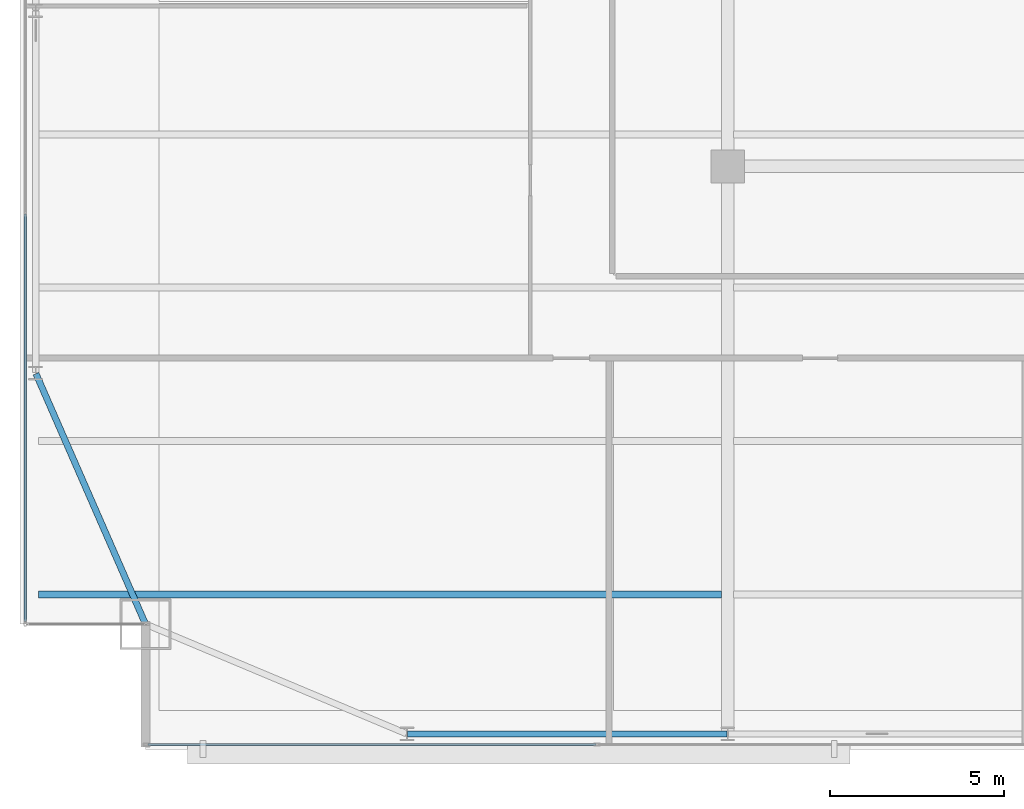
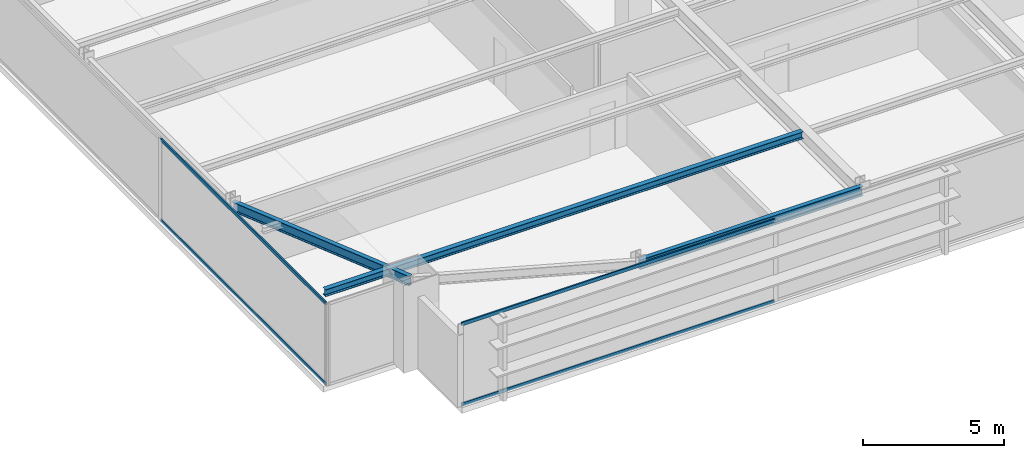
# One storey, part 5 of 33: 4 members, 3 beams, 2 elements without a shape of their own.
"""IFC4 building model written with IfcOpenShell, lengths in metres."""

from ifc_helpers import new_model, si_unit, direction, frame, origin, origin_2d, place, context, subcontext, project, spatial, hollow_rectangle, i_section, extrude, source, transform, mapped, material, layer, layer_set, material_profile, profile_set, type_object, type_shapes, element, aggregate, save


model = new_model("IFC4")

# Units and contexts
model_context = context("Model", 3, precision=1e-05, world=origin(), true_north=direction((0.0, 1.0)))
body_context = subcontext(model_context, "Body", "Model", "MODEL_VIEW")
ifc_project = project(units=[si_unit("LENGTHUNIT", "METRE"), si_unit("AREAUNIT", "SQUARE_METRE"), si_unit("VOLUMEUNIT", "CUBIC_METRE"), si_unit("PLANEANGLEUNIT", "RADIAN"), si_unit("MASSUNIT", "GRAM", prefix="KILO")], contexts=[model_context])

# Site, building, storey
site_placement = place(None, origin())
site = spatial("IfcSite", under=ifc_project, at=site_placement, CompositionType="ELEMENT")
building_placement = place(site_placement, origin())
building = spatial("IfcBuilding", under=site, at=building_placement, Name="Varnel Quay Broadcast Tower", CompositionType="ELEMENT")
storey_placement = place(building_placement, frame((0.0, 0.0, 129.60009765625)))
storey = spatial("IfcBuildingStorey", under=building, at=storey_placement, Name="L31", CompositionType="ELEMENT", Elevation=129.60009765625)

# Beams
ifc_material_1 = material(Name="Structural Steel CSA G40.21 350W", Category="steel")
ifc_material_profile_1 = material_profile(ifc_material_1, i_section(OverallWidth=0.180908203125, OverallDepth=0.4169921875, WebThickness=0.010986328125, FlangeThickness=0.018310546875, FilletRadius=0.011962890625, at=origin_2d()), Name="W410X85")
ifc_profile_set_1 = profile_set([ifc_material_profile_1], Name="Structural Steel CSA G40.21 350W")
beam_type_1 = type_object("IfcBeamType", Name="Beam_W410X85", PredefinedType="SPANDREL", material=ifc_profile_set_1)
shared_shape_1 = source(origin(), body_context, "Body", "SweptSolid", [
    extrude(i_section(OverallWidth=0.180908203125, OverallDepth=0.4169921875, WebThickness=0.010986328125, FlangeThickness=0.018310546875, FilletRadius=0.011962890625, at=origin_2d()), origin(), (0.0, 0.0, 1.0), 9.159912109375),
])
beam_1_placement = place(storey_placement, frame((15.6201171875, 4.64990234375, 3.34130859375), z_axis=(1.0, 0.0, 0.0), x_axis=(0.0, 1.0, 0.0)))
element("IfcBeam", 1, at=beam_1_placement, inside=storey, type_object=beam_type_1, Name="L31 South Spandrel TC-S1-TC-S2", PredefinedType="SPANDREL", context=body_context, shape_type="MappedRepresentation", body=[
    mapped(shared_shape_1, transform((0.0, 0.0, 0.0), x_axis=(1.0, 0.0, 0.0), y_axis=(0.0, 1.0, 0.0), z_axis=(0.0, 0.0, 1.0), scale=1.0)),
])
shared_shape_2 = source(origin(), body_context, "Body", "SweptSolid", [
    extrude(i_section(OverallWidth=0.180908203125, OverallDepth=0.4169921875, WebThickness=0.010986328125, FlangeThickness=0.018310546875, FilletRadius=0.011962890625, at=origin_2d()), origin(), (0.0, 0.0, 1.0), 7.81884765625),
])
type_shapes(beam_type_1, [shared_shape_1, shared_shape_2])
beam_2_placement = place(storey_placement, frame((8.092041015625, 7.818359375, 3.34130859375), z_axis=(-0.400827023998, 0.916153751743, 0.0), x_axis=(-0.916153751743, -0.400827023998, 0.0)))
element("IfcBeam", 2, at=beam_2_placement, inside=storey, type_object=beam_type_1, Name="L31 West Spandrel MC-SW-TC-W1", PredefinedType="SPANDREL", context=body_context, shape_type="MappedRepresentation", body=[
    mapped(shared_shape_2, transform((0.0, 0.0, 0.0), x_axis=(1.0, 0.0, 0.0), y_axis=(0.0, 1.0, 0.0), z_axis=(0.0, 0.0, 1.0), scale=1.0)),
])
ifc_material_profile_2 = material_profile(ifc_material_1, i_section(OverallWidth=0.202880859375, OverallDepth=0.302978515625, WebThickness=0.007568359375, FlangeThickness=0.01318359375, FilletRadius=0.011962890625, at=origin_2d()), Name="W310X60")
ifc_profile_set_2 = profile_set([ifc_material_profile_2], Name="Structural Steel CSA G40.21 350W")
beam_type_2 = type_object("IfcBeamType", Name="Beam_W310X60", PredefinedType="JOIST", material=ifc_profile_set_2)
shared_shape_3 = source(origin(), body_context, "Body", "SweptSolid", [
    extrude(i_section(OverallWidth=0.202880859375, OverallDepth=0.302978515625, WebThickness=0.007568359375, FlangeThickness=0.01318359375, FilletRadius=0.011962890625, at=origin_2d()), origin(), (0.0, 0.0, 1.0), 19.592041015625),
])
type_shapes(beam_type_2, [shared_shape_3])
beam_3_placement = place(storey_placement, frame((5.035400390625, 8.64990234375, 3.3984375), z_axis=(1.0, 0.0, 0.0), x_axis=(0.0, 1.0, 0.0)))
element("IfcBeam", 3, at=beam_3_placement, inside=storey, type_object=beam_type_2, Name="L31 West Floor Joist 1", PredefinedType="JOIST", context=body_context, shape_type="MappedRepresentation", body=[
    mapped(shared_shape_3, transform((0.0, 0.0, 0.0), x_axis=(1.0, 0.0, 0.0), y_axis=(0.0, 1.0, 0.0), z_axis=(0.0, 0.0, 1.0), scale=1.0)),
])

# Curtain wall, members
ifc_material_2 = material(Name="Anodised Bronze Aluminium 6063-T6", Category="aluminium")
ifc_layer = layer(ifc_material_2, 0.18994140625, Name="Anodised Bronze Aluminium 6063-T6")
ifc_layer_set = layer_set([ifc_layer], Name="Anodised Bronze Aluminium 6063-T6")
curtain_wall_type = type_object("IfcCurtainWallType", Name="CW_LowerTower", PredefinedType="NOTDEFINED", material=ifc_layer_set)
curtain_wall_1_placement = place(storey_placement, origin())
curtain_wall_1 = element("IfcCurtainWall", 4, at=curtain_wall_1_placement, inside=storey, type_object=curtain_wall_type, Name="L31 West Unitised Curtain Wall", PredefinedType="NOTDEFINED")
ifc_material_profile_3 = material_profile(ifc_material_2, hollow_rectangle(XDim=0.06005859375, YDim=0.14501953125, WallThickness=0.00341796875, at=origin_2d()), Name="ALU60X145X3.5")
ifc_profile_set_3 = profile_set([ifc_material_profile_3], Name="Anodised Bronze Aluminium 6063-T6")
member_type = type_object("IfcMemberType", Name="Tran_CWS-02", PredefinedType="USERDEFINED", material=ifc_profile_set_3)
shared_shape_4 = source(origin(), body_context, "Body", "SweptSolid", [
    extrude(hollow_rectangle(XDim=0.06005859375, YDim=0.14501953125, WallThickness=0.00341796875, at=origin_2d()), origin(), (0.0, 0.0, 1.0), 11.69482421875),
])
member_1_placement = place(storey_placement, frame((4.64990234375, 7.8701171875, 0.02978515625), z_axis=(0.0, 1.0, 0.0), x_axis=(-1.0, 0.0, 0.0)))
member_1 = element("IfcMember", 5, at=member_1_placement, type_object=member_type, Name="CWS-02 transom 1.1", ObjectType="TRANSOM", PredefinedType="USERDEFINED", context=body_context, shape_type="MappedRepresentation", body=[
    mapped(shared_shape_4, transform((0.0, 0.0, 0.0), x_axis=(1.0, 0.0, 0.0), y_axis=(0.0, 1.0, 0.0), z_axis=(0.0, 0.0, 1.0), scale=1.0)),
])
member_2_placement = place(storey_placement, frame((4.64990234375, 7.8701171875, 3.52001953125), z_axis=(0.0, 1.0, 0.0), x_axis=(-1.0, 0.0, 0.0)))
member_2 = element("IfcMember", 6, at=member_2_placement, type_object=member_type, Name="CWS-02 transom 1.2", ObjectType="TRANSOM", PredefinedType="USERDEFINED", context=body_context, shape_type="MappedRepresentation", body=[
    mapped(shared_shape_4, transform((0.0, 0.0, 0.0), x_axis=(1.0, 0.0, 0.0), y_axis=(0.0, 1.0, 0.0), z_axis=(0.0, 0.0, 1.0), scale=1.0)),
])
aggregate(curtain_wall_1, [member_1, member_2])

curtain_wall_2_placement = place(storey_placement, origin())
curtain_wall_2 = element("IfcCurtainWall", 7, at=curtain_wall_2_placement, inside=storey, type_object=curtain_wall_type, Name="L31 South Unitised Curtain Wall 1", PredefinedType="NOTDEFINED")
shared_shape_5 = source(origin(), body_context, "Body", "SweptSolid", [
    extrude(hollow_rectangle(XDim=0.06005859375, YDim=0.14501953125, WallThickness=0.00341796875, at=origin_2d()), origin(), (0.0, 0.0, 1.0), 12.844970703125),
])
type_shapes(member_type, [shared_shape_4, shared_shape_5])
member_3_placement = place(storey_placement, frame((8.169921875, 4.35009765625, 0.02978515625), z_axis=(1.0, 0.0, 0.0), x_axis=(0.0, 1.0, 0.0)))
member_3 = element("IfcMember", 8, at=member_3_placement, type_object=member_type, Name="CWS-02 transom 1.1", ObjectType="TRANSOM", PredefinedType="USERDEFINED", context=body_context, shape_type="MappedRepresentation", body=[
    mapped(shared_shape_5, transform((0.0, 0.0, 0.0), x_axis=(1.0, 0.0, 0.0), y_axis=(0.0, 1.0, 0.0), z_axis=(0.0, 0.0, 1.0), scale=1.0)),
])
member_4_placement = place(storey_placement, frame((8.169921875, 4.35009765625, 3.52001953125), z_axis=(1.0, 0.0, 0.0), x_axis=(0.0, 1.0, 0.0)))
member_4 = element("IfcMember", 9, at=member_4_placement, type_object=member_type, Name="CWS-02 transom 1.2", ObjectType="TRANSOM", PredefinedType="USERDEFINED", context=body_context, shape_type="MappedRepresentation", body=[
    mapped(shared_shape_5, transform((0.0, 0.0, 0.0), x_axis=(1.0, 0.0, 0.0), y_axis=(0.0, 1.0, 0.0), z_axis=(0.0, 0.0, 1.0), scale=1.0)),
])
aggregate(curtain_wall_2, [member_3, member_4])

save(model, "model.ifc")
